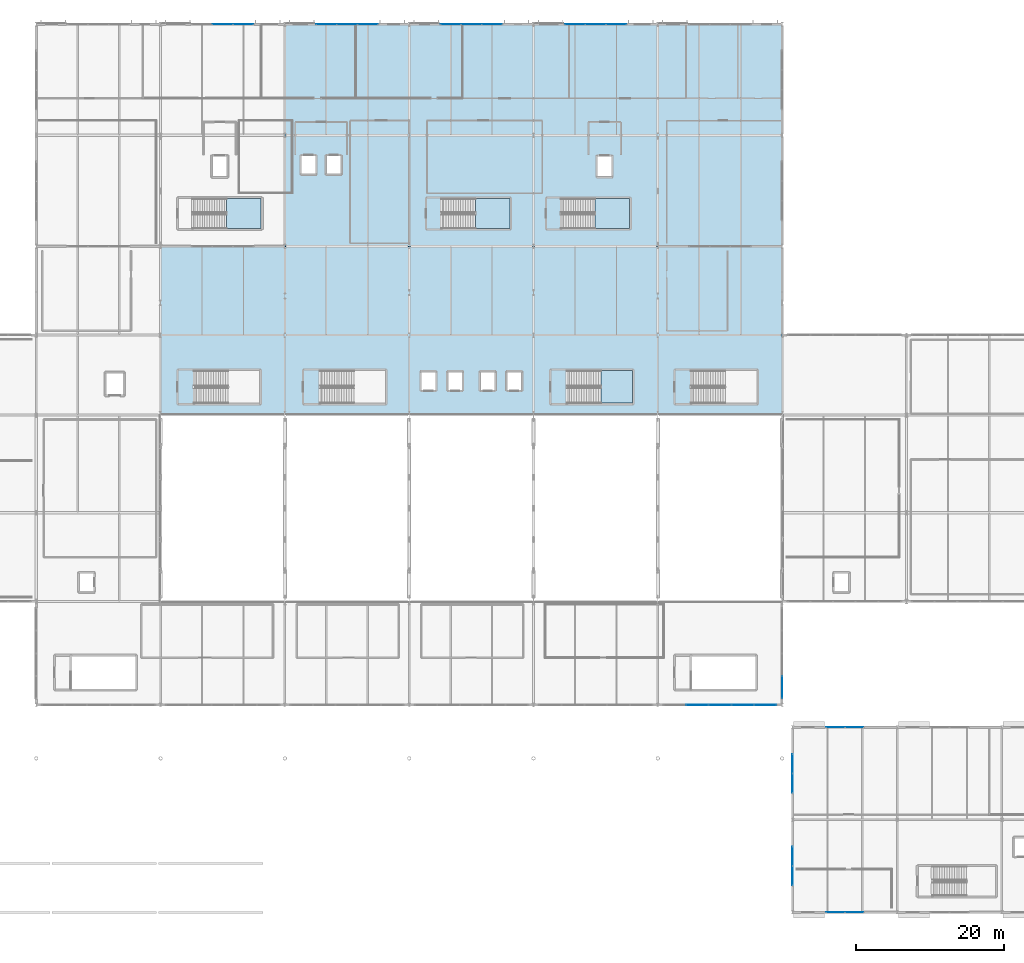
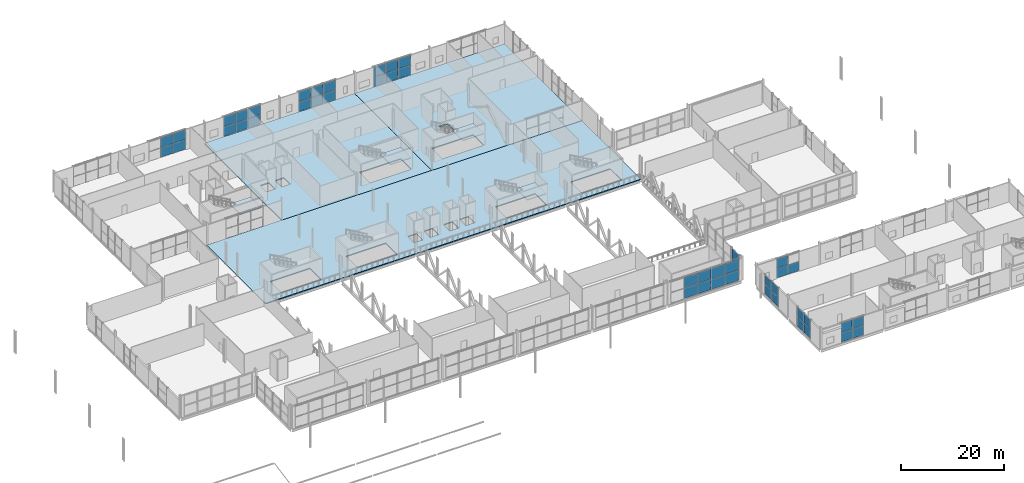
# One storey, part 51 of 84: 47 plates, 7 slabs, 14 elements without a shape of their own.
"""IFC4 building model written with IfcOpenShell, lengths in metres."""

from ifc_helpers import new_model, si_unit, direction, frame, origin, origin_2d, place, context, subcontext, project, spatial, polyline, rectangle, outline, extrude, material, layer, layer_set, type_object, element, aggregate, save


model = new_model("IFC4")

# Units and contexts
model_context = context("Model", 3, precision=1e-05, world=origin(), true_north=direction((0.0, 1.0)))
body_context = subcontext(model_context, "Body", "Model", "MODEL_VIEW")
ifc_project = project(units=[si_unit("LENGTHUNIT", "METRE"), si_unit("AREAUNIT", "SQUARE_METRE"), si_unit("VOLUMEUNIT", "CUBIC_METRE"), si_unit("PLANEANGLEUNIT", "RADIAN"), si_unit("MASSUNIT", "GRAM", prefix="KILO")], contexts=[model_context])

# Site, building, storey
site_placement = place(None, origin())
site = spatial("IfcSite", under=ifc_project, at=site_placement, CompositionType="ELEMENT")
building_placement = place(site_placement, origin())
building = spatial("IfcBuilding", under=site, at=building_placement, Name="Kimbaza Rail Terminus", CompositionType="ELEMENT")
storey_placement = place(building_placement, frame((0.0, 0.0, 5.39990234375)))
storey = spatial("IfcBuildingStorey", under=building, at=storey_placement, Name="L01", CompositionType="ELEMENT", Elevation=5.39990234375)

# Curtain wall, plates
ifc_material_1 = material(Name="Anodised aluminium framing and solar low-E glazing", Category="aluminium")
curtain_wall_type_1 = type_object("IfcCurtainWallType", Name="ARC-CW-TH1", PredefinedType="USERDEFINED", material=ifc_material_1)
curtain_wall_1_placement = place(storey_placement, origin())
curtain_wall_1 = element("IfcCurtainWall", 1, at=curtain_wall_1_placement, inside=storey, type_object=curtain_wall_type_1, Name="Concourse E Return Curtain Wall L01", ObjectType="UNITISED CURTAIN WALL", PredefinedType="USERDEFINED")
ifc_material_2 = material(Name="Solar-control double low-E glazing", Category="glass")
ifc_layer_1 = layer(ifc_material_2, 0.035888671875)
ifc_layer_set_1 = layer_set([ifc_layer_1], Name="Solar-control double low-E glazing")
plate_type_1 = type_object("IfcPlateType", Name="ARC-CWP-01", PredefinedType="CURTAIN_PANEL", material=ifc_layer_set_1)
plate_1_placement = place(storey_placement, frame((156.0, 43.413818359375, 0.0751953125), z_axis=(0.0, 0.0, 1.0), x_axis=(0.0, 1.0, 0.0)))
plate_1 = element("IfcPlate", 2, at=plate_1_placement, type_object=plate_type_1, Name="CW-01 panel 1.1", PredefinedType="CURTAIN_PANEL", context=body_context, shape_type="SweptSolid", body=[
    extrude(rectangle(XDim=2.95751953125, YDim=0.035888671875, at=origin_2d()), origin(), (0.0, 0.0, 1.0), 2.45751953125),
])
plate_2_placement = place(storey_placement, frame((156.0, 43.413818359375, 2.607666015625), z_axis=(0.0, 0.0, 1.0), x_axis=(0.0, 1.0, 0.0)))
plate_2 = element("IfcPlate", 3, at=plate_2_placement, type_object=plate_type_1, Name="CW-01 panel 1.2", PredefinedType="CURTAIN_PANEL", context=body_context, shape_type="SweptSolid", body=[
    extrude(rectangle(XDim=2.95751953125, YDim=0.035888671875, at=origin_2d()), origin(), (0.0, 0.0, 1.0), 2.45751953125),
])
aggregate(curtain_wall_1, [plate_1, plate_2])

ifc_material_3 = material(Name="Anodised aluminium framing and solar low-E glazing", Category="aluminium")
curtain_wall_type_2 = type_object("IfcCurtainWallType", Name="ARC-CW-CN1", PredefinedType="USERDEFINED", material=ifc_material_3)
curtain_wall_2_placement = place(storey_placement, origin())
curtain_wall_2 = element("IfcCurtainWall", 4, at=curtain_wall_2_placement, inside=storey, type_object=curtain_wall_type_2, Name="South Concourse Upper Glazing L01 Bay 6", ObjectType="UNITISED CURTAIN WALL", PredefinedType="USERDEFINED")
ifc_material_4 = material(Name="Solar-control double low-E glazing", Category="glass")
ifc_layer_2 = layer(ifc_material_4, 0.032958984375)
ifc_layer_set_2 = layer_set([ifc_layer_2], Name="Solar-control double low-E glazing")
plate_type_2 = type_object("IfcPlateType", Name="ARC-CWP-02", PredefinedType="CURTAIN_PANEL", material=ifc_layer_set_2)
plate_3_placement = place(storey_placement, frame((144.528076171875, 41.0, 0.06982421875), z_axis=(0.0, 0.0, 1.0), x_axis=(1.0, 0.0, 0.0)))
plate_3 = element("IfcPlate", 5, at=plate_3_placement, type_object=plate_type_2, Name="CW-02 panel 2.1", PredefinedType="CURTAIN_PANEL", context=body_context, shape_type="SweptSolid", body=[
    extrude(rectangle(XDim=3.001953125, YDim=0.032958984375, at=origin_2d()), origin(), (0.0, 0.0, 1.0), 2.465087890625),
])
plate_4_placement = place(storey_placement, frame((144.528076171875, 41.0, 2.60498046875), z_axis=(0.0, 0.0, 1.0), x_axis=(1.0, 0.0, 0.0)))
plate_4 = element("IfcPlate", 6, at=plate_4_placement, type_object=plate_type_2, Name="CW-02 panel 2.2", PredefinedType="CURTAIN_PANEL", context=body_context, shape_type="SweptSolid", body=[
    extrude(rectangle(XDim=3.001953125, YDim=0.032958984375, at=origin_2d()), origin(), (0.0, 0.0, 1.0), 2.465087890625),
])
plate_5_placement = place(storey_placement, frame((147.60009765625, 41.0, 0.06982421875), z_axis=(0.0, 0.0, 1.0), x_axis=(1.0, 0.0, 0.0)))
plate_5 = element("IfcPlate", 7, at=plate_5_placement, type_object=plate_type_2, Name="CW-02 panel 3.1", PredefinedType="CURTAIN_PANEL", context=body_context, shape_type="SweptSolid", body=[
    extrude(rectangle(XDim=3.001953125, YDim=0.032958984375, at=origin_2d()), origin(), (0.0, 0.0, 1.0), 2.465087890625),
])
plate_6_placement = place(storey_placement, frame((147.60009765625, 41.0, 2.60498046875), z_axis=(0.0, 0.0, 1.0), x_axis=(1.0, 0.0, 0.0)))
plate_6 = element("IfcPlate", 8, at=plate_6_placement, type_object=plate_type_2, Name="CW-02 panel 3.2", PredefinedType="CURTAIN_PANEL", context=body_context, shape_type="SweptSolid", body=[
    extrude(rectangle(XDim=3.001953125, YDim=0.032958984375, at=origin_2d()), origin(), (0.0, 0.0, 1.0), 2.465087890625),
])
plate_7_placement = place(storey_placement, frame((150.672119140625, 41.0, 0.06982421875), z_axis=(0.0, 0.0, 1.0), x_axis=(1.0, 0.0, 0.0)))
plate_7 = element("IfcPlate", 9, at=plate_7_placement, type_object=plate_type_2, Name="CW-02 panel 4.1", PredefinedType="CURTAIN_PANEL", context=body_context, shape_type="SweptSolid", body=[
    extrude(rectangle(XDim=3.001953125, YDim=0.032958984375, at=origin_2d()), origin(), (0.0, 0.0, 1.0), 2.465087890625),
])
plate_8_placement = place(storey_placement, frame((150.672119140625, 41.0, 2.60498046875), z_axis=(0.0, 0.0, 1.0), x_axis=(1.0, 0.0, 0.0)))
plate_8 = element("IfcPlate", 10, at=plate_8_placement, type_object=plate_type_2, Name="CW-02 panel 4.2", PredefinedType="CURTAIN_PANEL", context=body_context, shape_type="SweptSolid", body=[
    extrude(rectangle(XDim=3.001953125, YDim=0.032958984375, at=origin_2d()), origin(), (0.0, 0.0, 1.0), 2.465087890625),
])
plate_9_placement = place(storey_placement, frame((153.7265625, 41.0, 0.06982421875), z_axis=(0.0, 0.0, 1.0), x_axis=(1.0, 0.0, 0.0)))
plate_9 = element("IfcPlate", 11, at=plate_9_placement, type_object=plate_type_2, Name="CW-02 panel 5.1", PredefinedType="CURTAIN_PANEL", context=body_context, shape_type="SweptSolid", body=[
    extrude(rectangle(XDim=2.967041015625, YDim=0.032958984375, at=origin_2d()), origin(), (0.0, 0.0, 1.0), 2.465087890625),
])
plate_10_placement = place(storey_placement, frame((153.7265625, 41.0, 2.60498046875), z_axis=(0.0, 0.0, 1.0), x_axis=(1.0, 0.0, 0.0)))
plate_10 = element("IfcPlate", 12, at=plate_10_placement, type_object=plate_type_2, Name="CW-02 panel 5.2", PredefinedType="CURTAIN_PANEL", context=body_context, shape_type="SweptSolid", body=[
    extrude(rectangle(XDim=2.967041015625, YDim=0.032958984375, at=origin_2d()), origin(), (0.0, 0.0, 1.0), 2.465087890625),
])
aggregate(curtain_wall_2, [plate_3, plate_4, plate_5, plate_6, plate_7, plate_8, plate_9, plate_10])

ifc_material_5 = material(Name="Anodised aluminium framing and solar low-E glazing", Category="aluminium")
curtain_wall_type_3 = type_object("IfcCurtainWallType", Name="ARC-CW-PV1", PredefinedType="USERDEFINED", material=ifc_material_5)
curtain_wall_3_placement = place(storey_placement, origin())
curtain_wall_3 = element("IfcCurtainWall", 13, at=curtain_wall_3_placement, inside=storey, type_object=curtain_wall_type_3, Name="Pavilion N Curtain Wall L01.1", ObjectType="STICK CURTAIN WALL", PredefinedType="USERDEFINED")
ifc_material_6 = material(Name="Solar-control double low-E glazing", Category="glass")
ifc_layer_3 = layer(ifc_material_6, 0.027099609375)
ifc_layer_set_3 = layer_set([ifc_layer_3], Name="Solar-control double low-E glazing")
plate_type_3 = type_object("IfcPlateType", Name="ARC-CWP-04", PredefinedType="CURTAIN_PANEL", material=ifc_layer_set_3)
plate_11_placement = place(storey_placement, frame((163.203857421875, 38.0, 0.06494140625), z_axis=(0.0, 0.0, 1.0), x_axis=(1.0, 0.0, 0.0)))
plate_11 = element("IfcPlate", 14, at=plate_11_placement, type_object=plate_type_3, Name="CW-04 panel 1.1", PredefinedType="CURTAIN_PANEL", context=body_context, shape_type="SweptSolid", body=[
    extrude(rectangle(XDim=2.4775390625, YDim=0.027099609375, at=origin_2d()), origin(), (0.0, 0.0, 1.0), 2.215087890625),
])
plate_12_placement = place(storey_placement, frame((163.203857421875, 38.0, 2.34521484375), z_axis=(0.0, 0.0, 1.0), x_axis=(1.0, 0.0, 0.0)))
plate_12 = element("IfcPlate", 15, at=plate_12_placement, type_object=plate_type_3, Name="CW-04 panel 1.2", PredefinedType="CURTAIN_PANEL", context=body_context, shape_type="SweptSolid", body=[
    extrude(rectangle(XDim=2.4775390625, YDim=0.027099609375, at=origin_2d()), origin(), (0.0, 0.0, 1.0), 2.215087890625),
])
plate_13_placement = place(storey_placement, frame((165.746337890625, 38.0, 0.06494140625), z_axis=(0.0, 0.0, 1.0), x_axis=(1.0, 0.0, 0.0)))
plate_13 = element("IfcPlate", 16, at=plate_13_placement, type_object=plate_type_3, Name="CW-04 panel 2.1", PredefinedType="CURTAIN_PANEL", context=body_context, shape_type="SweptSolid", body=[
    extrude(rectangle(XDim=2.4775390625, YDim=0.027099609375, at=origin_2d()), origin(), (0.0, 0.0, 1.0), 2.215087890625),
])
aggregate(curtain_wall_3, [plate_11, plate_12, plate_13])

curtain_wall_4_placement = place(storey_placement, origin())
curtain_wall_4 = element("IfcCurtainWall", 17, at=curtain_wall_4_placement, inside=storey, type_object=curtain_wall_type_3, Name="Pavilion S Curtain Wall L01.1", ObjectType="STICK CURTAIN WALL", PredefinedType="USERDEFINED")
plate_14_placement = place(storey_placement, frame((163.203857421875, 13.0, 0.06494140625), z_axis=(0.0, 0.0, 1.0), x_axis=(1.0, 0.0, 0.0)))
plate_14 = element("IfcPlate", 18, at=plate_14_placement, type_object=plate_type_3, Name="CW-04 panel 1.1", PredefinedType="CURTAIN_PANEL", context=body_context, shape_type="SweptSolid", body=[
    extrude(rectangle(XDim=2.4775390625, YDim=0.027099609375, at=origin_2d()), origin(), (0.0, 0.0, 1.0), 2.215087890625),
])
plate_15_placement = place(storey_placement, frame((163.203857421875, 13.0, 2.34521484375), z_axis=(0.0, 0.0, 1.0), x_axis=(1.0, 0.0, 0.0)))
plate_15 = element("IfcPlate", 19, at=plate_15_placement, type_object=plate_type_3, Name="CW-04 panel 1.2", PredefinedType="CURTAIN_PANEL", context=body_context, shape_type="SweptSolid", body=[
    extrude(rectangle(XDim=2.4775390625, YDim=0.027099609375, at=origin_2d()), origin(), (0.0, 0.0, 1.0), 2.215087890625),
])
plate_16_placement = place(storey_placement, frame((165.746337890625, 13.0, 0.06494140625), z_axis=(0.0, 0.0, 1.0), x_axis=(1.0, 0.0, 0.0)))
plate_16 = element("IfcPlate", 20, at=plate_16_placement, type_object=plate_type_3, Name="CW-04 panel 2.1", PredefinedType="CURTAIN_PANEL", context=body_context, shape_type="SweptSolid", body=[
    extrude(rectangle(XDim=2.4775390625, YDim=0.027099609375, at=origin_2d()), origin(), (0.0, 0.0, 1.0), 2.215087890625),
])
plate_17_placement = place(storey_placement, frame((165.746337890625, 13.0, 2.34521484375), z_axis=(0.0, 0.0, 1.0), x_axis=(1.0, 0.0, 0.0)))
plate_17 = element("IfcPlate", 21, at=plate_17_placement, type_object=plate_type_3, Name="CW-04 panel 2.2", PredefinedType="CURTAIN_PANEL", context=body_context, shape_type="SweptSolid", body=[
    extrude(rectangle(XDim=2.4775390625, YDim=0.027099609375, at=origin_2d()), origin(), (0.0, 0.0, 1.0), 2.215087890625),
])
aggregate(curtain_wall_4, [plate_14, plate_15, plate_16, plate_17])

curtain_wall_5_placement = place(storey_placement, origin())
curtain_wall_5 = element("IfcCurtainWall", 22, at=curtain_wall_5_placement, inside=storey, type_object=curtain_wall_type_3, Name="Pavilion W Curtain Wall L01.1", ObjectType="STICK CURTAIN WALL", PredefinedType="USERDEFINED")
plate_18_placement = place(storey_placement, frame((157.39990234375, 17.941162109375, 0.06494140625), z_axis=(0.0, 0.0, 1.0), x_axis=(0.0, 1.0, 0.0)))
plate_18 = element("IfcPlate", 23, at=plate_18_placement, type_object=plate_type_3, Name="CW-04 panel 1.1", PredefinedType="CURTAIN_PANEL", context=body_context, shape_type="SweptSolid", body=[
    extrude(rectangle(XDim=2.552490234375, YDim=0.027099609375, at=origin_2d()), origin(), (0.0, 0.0, 1.0), 2.239990234375),
])
plate_19_placement = place(storey_placement, frame((157.39990234375, 17.941162109375, 2.3701171875), z_axis=(0.0, 0.0, 1.0), x_axis=(0.0, 1.0, 0.0)))
plate_19 = element("IfcPlate", 24, at=plate_19_placement, type_object=plate_type_3, Name="CW-04 panel 1.2", PredefinedType="CURTAIN_PANEL", context=body_context, shape_type="SweptSolid", body=[
    extrude(rectangle(XDim=2.552490234375, YDim=0.027099609375, at=origin_2d()), origin(), (0.0, 0.0, 1.0), 2.239990234375),
])
plate_20_placement = place(storey_placement, frame((157.39990234375, 20.558837890625, 0.06494140625), z_axis=(0.0, 0.0, 1.0), x_axis=(0.0, 1.0, 0.0)))
plate_20 = element("IfcPlate", 25, at=plate_20_placement, type_object=plate_type_3, Name="CW-04 panel 2.1", PredefinedType="CURTAIN_PANEL", context=body_context, shape_type="SweptSolid", body=[
    extrude(rectangle(XDim=2.552490234375, YDim=0.027099609375, at=origin_2d()), origin(), (0.0, 0.0, 1.0), 2.239990234375),
])
plate_21_placement = place(storey_placement, frame((157.39990234375, 20.558837890625, 2.3701171875), z_axis=(0.0, 0.0, 1.0), x_axis=(0.0, 1.0, 0.0)))
plate_21 = element("IfcPlate", 26, at=plate_21_placement, type_object=plate_type_3, Name="CW-04 panel 2.2", PredefinedType="CURTAIN_PANEL", context=body_context, shape_type="SweptSolid", body=[
    extrude(rectangle(XDim=2.552490234375, YDim=0.027099609375, at=origin_2d()), origin(), (0.0, 0.0, 1.0), 2.239990234375),
])
aggregate(curtain_wall_5, [plate_18, plate_19, plate_20, plate_21])

curtain_wall_6_placement = place(storey_placement, origin())
curtain_wall_6 = element("IfcCurtainWall", 27, at=curtain_wall_6_placement, inside=storey, type_object=curtain_wall_type_3, Name="Pavilion W Curtain Wall L01.2", ObjectType="STICK CURTAIN WALL", PredefinedType="USERDEFINED")
plate_22_placement = place(storey_placement, frame((157.39990234375, 30.441162109375, 0.06494140625), z_axis=(0.0, 0.0, 1.0), x_axis=(0.0, 1.0, 0.0)))
plate_22 = element("IfcPlate", 28, at=plate_22_placement, type_object=plate_type_3, Name="CW-04 panel 1.1", PredefinedType="CURTAIN_PANEL", context=body_context, shape_type="SweptSolid", body=[
    extrude(rectangle(XDim=2.552490234375, YDim=0.027099609375, at=origin_2d()), origin(), (0.0, 0.0, 1.0), 2.239990234375),
])
plate_23_placement = place(storey_placement, frame((157.39990234375, 30.441162109375, 2.3701171875), z_axis=(0.0, 0.0, 1.0), x_axis=(0.0, 1.0, 0.0)))
plate_23 = element("IfcPlate", 29, at=plate_23_placement, type_object=plate_type_3, Name="CW-04 panel 1.2", PredefinedType="CURTAIN_PANEL", context=body_context, shape_type="SweptSolid", body=[
    extrude(rectangle(XDim=2.552490234375, YDim=0.027099609375, at=origin_2d()), origin(), (0.0, 0.0, 1.0), 2.239990234375),
])
plate_24_placement = place(storey_placement, frame((157.39990234375, 33.058837890625, 0.06494140625), z_axis=(0.0, 0.0, 1.0), x_axis=(0.0, 1.0, 0.0)))
plate_24 = element("IfcPlate", 30, at=plate_24_placement, type_object=plate_type_3, Name="CW-04 panel 2.1", PredefinedType="CURTAIN_PANEL", context=body_context, shape_type="SweptSolid", body=[
    extrude(rectangle(XDim=2.552490234375, YDim=0.027099609375, at=origin_2d()), origin(), (0.0, 0.0, 1.0), 2.239990234375),
])
plate_25_placement = place(storey_placement, frame((157.39990234375, 33.058837890625, 2.3701171875), z_axis=(0.0, 0.0, 1.0), x_axis=(0.0, 1.0, 0.0)))
plate_25 = element("IfcPlate", 31, at=plate_25_placement, type_object=plate_type_3, Name="CW-04 panel 2.2", PredefinedType="CURTAIN_PANEL", context=body_context, shape_type="SweptSolid", body=[
    extrude(rectangle(XDim=2.552490234375, YDim=0.027099609375, at=origin_2d()), origin(), (0.0, 0.0, 1.0), 2.239990234375),
])
aggregate(curtain_wall_6, [plate_22, plate_23, plate_24, plate_25])

ifc_material_7 = material(Name="Anodised aluminium framing and solar low-E glazing", Category="aluminium")
curtain_wall_type_4 = type_object("IfcCurtainWallType", Name="ARC-CW-OP1", PredefinedType="USERDEFINED", material=ifc_material_7)
curtain_wall_7_placement = place(storey_placement, origin())
curtain_wall_7 = element("IfcCurtainWall", 32, at=curtain_wall_7_placement, inside=storey, type_object=curtain_wall_type_4, Name="Operations North Curtain Wall L01 Bay 2", ObjectType="UNITISED CURTAIN WALL", PredefinedType="USERDEFINED")
ifc_material_8 = material(Name="Solar-control double low-E glazing", Category="glass")
ifc_layer_4 = layer(ifc_material_8, 0.02490234375)
ifc_layer_set_4 = layer_set([ifc_layer_4], Name="Solar-control double low-E glazing")
plate_type_4 = type_object("IfcPlateType", Name="ARC-CWP-05", PredefinedType="CURTAIN_PANEL", material=ifc_layer_set_4)
plate_26_placement = place(storey_placement, frame((80.39990234375, 133.0, 0.06201171875), z_axis=(0.0, 0.0, 1.0), x_axis=(1.0, 0.0, 0.0)))
plate_26 = element("IfcPlate", 33, at=plate_26_placement, type_object=plate_type_4, Name="CW-05 panel 2.1", PredefinedType="CURTAIN_PANEL", context=body_context, shape_type="SweptSolid", body=[
    extrude(rectangle(XDim=2.738037109375, YDim=0.02490234375, at=origin_2d()), origin(), (0.0, 0.0, 1.0), 2.28955078125),
])
plate_27_placement = place(storey_placement, frame((80.39990234375, 133.0, 2.41357421875), z_axis=(0.0, 0.0, 1.0), x_axis=(1.0, 0.0, 0.0)))
plate_27 = element("IfcPlate", 34, at=plate_27_placement, type_object=plate_type_4, Name="CW-05 panel 2.2", PredefinedType="CURTAIN_PANEL", context=body_context, shape_type="SweptSolid", body=[
    extrude(rectangle(XDim=2.738037109375, YDim=0.02490234375, at=origin_2d()), origin(), (0.0, 0.0, 1.0), 2.28955078125),
])
plate_28_placement = place(storey_placement, frame((83.1845703125, 133.0, 0.06201171875), z_axis=(0.0, 0.0, 1.0), x_axis=(1.0, 0.0, 0.0)))
plate_28 = element("IfcPlate", 35, at=plate_28_placement, type_object=plate_type_4, Name="CW-05 panel 3.1", PredefinedType="CURTAIN_PANEL", context=body_context, shape_type="SweptSolid", body=[
    extrude(rectangle(XDim=2.70703125, YDim=0.02490234375, at=origin_2d()), origin(), (0.0, 0.0, 1.0), 2.28955078125),
])
plate_29_placement = place(storey_placement, frame((83.1845703125, 133.0, 2.41357421875), z_axis=(0.0, 0.0, 1.0), x_axis=(1.0, 0.0, 0.0)))
plate_29 = element("IfcPlate", 36, at=plate_29_placement, type_object=plate_type_4, Name="CW-05 panel 3.2", PredefinedType="CURTAIN_PANEL", context=body_context, shape_type="SweptSolid", body=[
    extrude(rectangle(XDim=2.70703125, YDim=0.02490234375, at=origin_2d()), origin(), (0.0, 0.0, 1.0), 2.28955078125),
])
aggregate(curtain_wall_7, [plate_26, plate_27, plate_28, plate_29])

curtain_wall_8_placement = place(storey_placement, origin())
curtain_wall_8 = element("IfcCurtainWall", 37, at=curtain_wall_8_placement, inside=storey, type_object=curtain_wall_type_4, Name="Operations North Curtain Wall L01 Bay 3", ObjectType="UNITISED CURTAIN WALL", PredefinedType="USERDEFINED")
plate_30_placement = place(storey_placement, frame((94.41552734375, 133.0, 0.06201171875), z_axis=(0.0, 0.0, 1.0), x_axis=(1.0, 0.0, 0.0)))
plate_30 = element("IfcPlate", 38, at=plate_30_placement, type_object=plate_type_4, Name="CW-05 panel 1.1", PredefinedType="CURTAIN_PANEL", context=body_context, shape_type="SweptSolid", body=[
    extrude(rectangle(XDim=2.70703125, YDim=0.02490234375, at=origin_2d()), origin(), (0.0, 0.0, 1.0), 2.28955078125),
])
plate_31_placement = place(storey_placement, frame((94.41552734375, 133.0, 2.41357421875), z_axis=(0.0, 0.0, 1.0), x_axis=(1.0, 0.0, 0.0)))
plate_31 = element("IfcPlate", 39, at=plate_31_placement, type_object=plate_type_4, Name="CW-05 panel 1.2", PredefinedType="CURTAIN_PANEL", context=body_context, shape_type="SweptSolid", body=[
    extrude(rectangle(XDim=2.70703125, YDim=0.02490234375, at=origin_2d()), origin(), (0.0, 0.0, 1.0), 2.28955078125),
])
plate_32_placement = place(storey_placement, frame((97.199951171875, 133.0, 0.06201171875), z_axis=(0.0, 0.0, 1.0), x_axis=(1.0, 0.0, 0.0)))
plate_32 = element("IfcPlate", 40, at=plate_32_placement, type_object=plate_type_4, Name="CW-05 panel 2.1", PredefinedType="CURTAIN_PANEL", context=body_context, shape_type="SweptSolid", body=[
    extrude(rectangle(XDim=2.738037109375, YDim=0.02490234375, at=origin_2d()), origin(), (0.0, 0.0, 1.0), 2.28955078125),
])
plate_33_placement = place(storey_placement, frame((97.199951171875, 133.0, 2.41357421875), z_axis=(0.0, 0.0, 1.0), x_axis=(1.0, 0.0, 0.0)))
plate_33 = element("IfcPlate", 41, at=plate_33_placement, type_object=plate_type_4, Name="CW-05 panel 2.2", PredefinedType="CURTAIN_PANEL", context=body_context, shape_type="SweptSolid", body=[
    extrude(rectangle(XDim=2.738037109375, YDim=0.02490234375, at=origin_2d()), origin(), (0.0, 0.0, 1.0), 2.28955078125),
])
plate_34_placement = place(storey_placement, frame((99.984619140625, 133.0, 0.06201171875), z_axis=(0.0, 0.0, 1.0), x_axis=(1.0, 0.0, 0.0)))
plate_34 = element("IfcPlate", 42, at=plate_34_placement, type_object=plate_type_4, Name="CW-05 panel 3.1", PredefinedType="CURTAIN_PANEL", context=body_context, shape_type="SweptSolid", body=[
    extrude(rectangle(XDim=2.70703125, YDim=0.02490234375, at=origin_2d()), origin(), (0.0, 0.0, 1.0), 2.28955078125),
])
plate_35_placement = place(storey_placement, frame((99.984619140625, 133.0, 2.41357421875), z_axis=(0.0, 0.0, 1.0), x_axis=(1.0, 0.0, 0.0)))
plate_35 = element("IfcPlate", 43, at=plate_35_placement, type_object=plate_type_4, Name="CW-05 panel 3.2", PredefinedType="CURTAIN_PANEL", context=body_context, shape_type="SweptSolid", body=[
    extrude(rectangle(XDim=2.70703125, YDim=0.02490234375, at=origin_2d()), origin(), (0.0, 0.0, 1.0), 2.28955078125),
])
aggregate(curtain_wall_8, [plate_30, plate_31, plate_32, plate_33, plate_34, plate_35])

curtain_wall_9_placement = place(storey_placement, origin())
curtain_wall_9 = element("IfcCurtainWall", 44, at=curtain_wall_9_placement, inside=storey, type_object=curtain_wall_type_4, Name="Operations North Curtain Wall L01 Bay 4", ObjectType="UNITISED CURTAIN WALL", PredefinedType="USERDEFINED")
plate_36_placement = place(storey_placement, frame((111.215576171875, 133.0, 0.06201171875), z_axis=(0.0, 0.0, 1.0), x_axis=(1.0, 0.0, 0.0)))
plate_36 = element("IfcPlate", 45, at=plate_36_placement, type_object=plate_type_4, Name="CW-05 panel 1.1", PredefinedType="CURTAIN_PANEL", context=body_context, shape_type="SweptSolid", body=[
    extrude(rectangle(XDim=2.70703125, YDim=0.02490234375, at=origin_2d()), origin(), (0.0, 0.0, 1.0), 2.28955078125),
])
plate_37_placement = place(storey_placement, frame((111.215576171875, 133.0, 2.41357421875), z_axis=(0.0, 0.0, 1.0), x_axis=(1.0, 0.0, 0.0)))
plate_37 = element("IfcPlate", 46, at=plate_37_placement, type_object=plate_type_4, Name="CW-05 panel 1.2", PredefinedType="CURTAIN_PANEL", context=body_context, shape_type="SweptSolid", body=[
    extrude(rectangle(XDim=2.70703125, YDim=0.02490234375, at=origin_2d()), origin(), (0.0, 0.0, 1.0), 2.28955078125),
])
plate_38_placement = place(storey_placement, frame((114.0, 133.0, 0.06201171875), z_axis=(0.0, 0.0, 1.0), x_axis=(1.0, 0.0, 0.0)))
plate_38 = element("IfcPlate", 47, at=plate_38_placement, type_object=plate_type_4, Name="CW-05 panel 2.1", PredefinedType="CURTAIN_PANEL", context=body_context, shape_type="SweptSolid", body=[
    extrude(rectangle(XDim=2.738037109375, YDim=0.02490234375, at=origin_2d()), origin(), (0.0, 0.0, 1.0), 2.28955078125),
])
plate_39_placement = place(storey_placement, frame((114.0, 133.0, 2.41357421875), z_axis=(0.0, 0.0, 1.0), x_axis=(1.0, 0.0, 0.0)))
plate_39 = element("IfcPlate", 48, at=plate_39_placement, type_object=plate_type_4, Name="CW-05 panel 2.2", PredefinedType="CURTAIN_PANEL", context=body_context, shape_type="SweptSolid", body=[
    extrude(rectangle(XDim=2.738037109375, YDim=0.02490234375, at=origin_2d()), origin(), (0.0, 0.0, 1.0), 2.28955078125),
])
plate_40_placement = place(storey_placement, frame((116.784423828125, 133.0, 0.06201171875), z_axis=(0.0, 0.0, 1.0), x_axis=(1.0, 0.0, 0.0)))
plate_40 = element("IfcPlate", 49, at=plate_40_placement, type_object=plate_type_4, Name="CW-05 panel 3.1", PredefinedType="CURTAIN_PANEL", context=body_context, shape_type="SweptSolid", body=[
    extrude(rectangle(XDim=2.70703125, YDim=0.02490234375, at=origin_2d()), origin(), (0.0, 0.0, 1.0), 2.28955078125),
])
plate_41_placement = place(storey_placement, frame((116.784423828125, 133.0, 2.41357421875), z_axis=(0.0, 0.0, 1.0), x_axis=(1.0, 0.0, 0.0)))
plate_41 = element("IfcPlate", 50, at=plate_41_placement, type_object=plate_type_4, Name="CW-05 panel 3.2", PredefinedType="CURTAIN_PANEL", context=body_context, shape_type="SweptSolid", body=[
    extrude(rectangle(XDim=2.70703125, YDim=0.02490234375, at=origin_2d()), origin(), (0.0, 0.0, 1.0), 2.28955078125),
])
aggregate(curtain_wall_9, [plate_36, plate_37, plate_38, plate_39, plate_40, plate_41])

curtain_wall_10_placement = place(storey_placement, origin())
curtain_wall_10 = element("IfcCurtainWall", 51, at=curtain_wall_10_placement, inside=storey, type_object=curtain_wall_type_4, Name="Operations North Curtain Wall L01 Bay 5", ObjectType="UNITISED CURTAIN WALL", PredefinedType="USERDEFINED")
plate_42_placement = place(storey_placement, frame((128.015380859375, 133.0, 0.06201171875), z_axis=(0.0, 0.0, 1.0), x_axis=(1.0, 0.0, 0.0)))
plate_42 = element("IfcPlate", 52, at=plate_42_placement, type_object=plate_type_4, Name="CW-05 panel 1.1", PredefinedType="CURTAIN_PANEL", context=body_context, shape_type="SweptSolid", body=[
    extrude(rectangle(XDim=2.70703125, YDim=0.02490234375, at=origin_2d()), origin(), (0.0, 0.0, 1.0), 2.28955078125),
])
plate_43_placement = place(storey_placement, frame((128.015380859375, 133.0, 2.41357421875), z_axis=(0.0, 0.0, 1.0), x_axis=(1.0, 0.0, 0.0)))
plate_43 = element("IfcPlate", 53, at=plate_43_placement, type_object=plate_type_4, Name="CW-05 panel 1.2", PredefinedType="CURTAIN_PANEL", context=body_context, shape_type="SweptSolid", body=[
    extrude(rectangle(XDim=2.70703125, YDim=0.02490234375, at=origin_2d()), origin(), (0.0, 0.0, 1.0), 2.28955078125),
])
plate_44_placement = place(storey_placement, frame((130.800048828125, 133.0, 0.06201171875), z_axis=(0.0, 0.0, 1.0), x_axis=(1.0, 0.0, 0.0)))
plate_44 = element("IfcPlate", 54, at=plate_44_placement, type_object=plate_type_4, Name="CW-05 panel 2.1", PredefinedType="CURTAIN_PANEL", context=body_context, shape_type="SweptSolid", body=[
    extrude(rectangle(XDim=2.738037109375, YDim=0.02490234375, at=origin_2d()), origin(), (0.0, 0.0, 1.0), 2.28955078125),
])
plate_45_placement = place(storey_placement, frame((130.800048828125, 133.0, 2.41357421875), z_axis=(0.0, 0.0, 1.0), x_axis=(1.0, 0.0, 0.0)))
plate_45 = element("IfcPlate", 55, at=plate_45_placement, type_object=plate_type_4, Name="CW-05 panel 2.2", PredefinedType="CURTAIN_PANEL", context=body_context, shape_type="SweptSolid", body=[
    extrude(rectangle(XDim=2.738037109375, YDim=0.02490234375, at=origin_2d()), origin(), (0.0, 0.0, 1.0), 2.28955078125),
])
plate_46_placement = place(storey_placement, frame((133.58447265625, 133.0, 0.06201171875), z_axis=(0.0, 0.0, 1.0), x_axis=(1.0, 0.0, 0.0)))
plate_46 = element("IfcPlate", 56, at=plate_46_placement, type_object=plate_type_4, Name="CW-05 panel 3.1", PredefinedType="CURTAIN_PANEL", context=body_context, shape_type="SweptSolid", body=[
    extrude(rectangle(XDim=2.70703125, YDim=0.02490234375, at=origin_2d()), origin(), (0.0, 0.0, 1.0), 2.28955078125),
])
plate_47_placement = place(storey_placement, frame((133.58447265625, 133.0, 2.41357421875), z_axis=(0.0, 0.0, 1.0), x_axis=(1.0, 0.0, 0.0)))
plate_47 = element("IfcPlate", 57, at=plate_47_placement, type_object=plate_type_4, Name="CW-05 panel 3.2", PredefinedType="CURTAIN_PANEL", context=body_context, shape_type="SweptSolid", body=[
    extrude(rectangle(XDim=2.70703125, YDim=0.02490234375, at=origin_2d()), origin(), (0.0, 0.0, 1.0), 2.28955078125),
])
aggregate(curtain_wall_10, [plate_42, plate_43, plate_44, plate_45, plate_46, plate_47])

# Stair, slab
ifc_material_9 = material(Name="Concrete C40/50", Category="concrete")
stair_type_1 = type_object("IfcStairType", Name="ARC-STR-02", PredefinedType="HALF_TURN_STAIR", material=ifc_material_9)
stair_1_placement = place(storey_placement, origin())
stair_1 = element("IfcStair", 58, at=stair_1_placement, inside=storey, type_object=stair_type_1, Name="L01 Operations West Exit Stair", PredefinedType="HALF_TURN_STAIR")
ifc_material_10 = material(Name="Concrete C40/50", Category="concrete")
ifc_layer_5 = layer(ifc_material_10, 0.199951171875)
ifc_layer_set_5 = layer_set([ifc_layer_5], Name="Concrete C40/50")
slab_type_1 = type_object("IfcSlabType", Name="STR-SL-LND200", PredefinedType="LANDING", material=ifc_layer_set_5)
slab_1_placement = place(storey_placement, frame((0.0, 0.0, 2.5)))
slab_1 = element("IfcSlab", 59, at=slab_1_placement, type_object=slab_type_1, Name="ST-W1 landing 1", PredefinedType="LANDING", context=body_context, shape_type="SweptSolid", body=[
    extrude(outline(polyline([(80.93994140625, 105.39990234375), (85.60009765625, 105.39990234375), (85.60009765625, 109.43994140625), (80.93994140625, 109.43994140625), (80.93994140625, 105.39990234375)])), origin(), (0.0, 0.0, 1.0), 0.2001953125),
])
aggregate(stair_1, [slab_1])

stair_2_placement = place(storey_placement, origin())
stair_2 = element("IfcStair", 60, at=stair_2_placement, inside=storey, type_object=stair_type_1, Name="L01 Operations Central Exit Stair", PredefinedType="HALF_TURN_STAIR")
slab_2_placement = place(storey_placement, frame((0.0, 0.0, 2.5)))
slab_2 = element("IfcSlab", 61, at=slab_2_placement, type_object=slab_type_1, Name="ST-M1 landing 1", PredefinedType="LANDING", context=body_context, shape_type="SweptSolid", body=[
    extrude(outline(polyline([(114.5400390625, 105.39990234375), (119.199951171875, 105.39990234375), (119.199951171875, 109.43994140625), (114.5400390625, 109.43994140625), (114.5400390625, 105.39990234375)])), origin(), (0.0, 0.0, 1.0), 0.2001953125),
])
aggregate(stair_2, [slab_2])

stair_3_placement = place(storey_placement, origin())
stair_3 = element("IfcStair", 62, at=stair_3_placement, inside=storey, type_object=stair_type_1, Name="L01 Operations East Exit Stair", PredefinedType="HALF_TURN_STAIR")
slab_3_placement = place(storey_placement, frame((0.0, 0.0, 2.5)))
slab_3 = element("IfcSlab", 63, at=slab_3_placement, type_object=slab_type_1, Name="ST-E1 landing 1", PredefinedType="LANDING", context=body_context, shape_type="SweptSolid", body=[
    extrude(outline(polyline([(130.739990234375, 105.39990234375), (135.39990234375, 105.39990234375), (135.39990234375, 109.43994140625), (130.739990234375, 109.43994140625), (130.739990234375, 105.39990234375)])), origin(), (0.0, 0.0, 1.0), 0.2001953125),
])
aggregate(stair_3, [slab_3])

ifc_material_11 = material(Name="Concrete C40/50", Category="concrete")
stair_type_2 = type_object("IfcStairType", Name="ARC-STR-06", PredefinedType="HALF_TURN_STAIR", material=ifc_material_11)
stair_4_placement = place(storey_placement, origin())
stair_4 = element("IfcStair", 64, at=stair_4_placement, inside=storey, type_object=stair_type_2, Name="L01 Footbridge East Platform Stair", PredefinedType="HALF_TURN_STAIR")
slab_4_placement = place(storey_placement, frame((0.0, 0.0, 2.5)))
slab_4 = element("IfcSlab", 65, at=slab_4_placement, type_object=slab_type_1, Name="ST-C4 landing 1", PredefinedType="LANDING", context=body_context, shape_type="SweptSolid", body=[
    extrude(outline(polyline([(131.52001953125, 81.800048828125), (135.800048828125, 81.800048828125), (135.800048828125, 86.199951171875), (131.52001953125, 86.199951171875), (131.52001953125, 81.800048828125)])), origin(), (0.0, 0.0, 1.0), 0.2001953125),
])
aggregate(stair_4, [slab_4])

# Slabs
ifc_material_12 = material(Name="Concrete C40/50", Category="concrete")
ifc_layer_6 = layer(ifc_material_12, 0.219970703125)
ifc_layer_set_6 = layer_set([ifc_layer_6], Name="Concrete C40/50")
slab_type_2 = type_object("IfcSlabType", Name="STR-SL-MEZ220", PredefinedType="FLOOR", material=ifc_layer_set_6)
slab_5_placement = place(storey_placement, frame((0.0, 0.0, -0.219970703125)))
element("IfcSlab", 66, at=slab_5_placement, inside=storey, type_object=slab_type_2, Name="Concourse Mezzanine L01 SLB-V2-L01-NORTH", PredefinedType="FLOOR", context=body_context, shape_type="SweptSolid", body=[
    extrude(outline(polyline([(72.0, 80.199951171875), (156.0, 80.199951171875), (156.0, 103.0), (72.0, 103.0), (72.0, 80.199951171875)]), holes=[polyline([(76.52490234375, 81.800048828125), (85.39990234375, 81.800048828125), (85.39990234375, 86.199951171875), (76.52490234375, 86.199951171875), (76.52490234375, 81.800048828125)]), polyline([(143.72509765625, 81.800048828125), (152.60009765625, 81.800048828125), (152.60009765625, 86.199951171875), (143.72509765625, 86.199951171875), (143.72509765625, 81.800048828125)]), polyline([(93.52490234375, 81.800048828125), (102.39990234375, 81.800048828125), (102.39990234375, 86.199951171875), (93.52490234375, 86.199951171875), (93.52490234375, 81.800048828125)]), polyline([(126.925048828125, 81.800048828125), (135.800048828125, 81.800048828125), (135.800048828125, 86.199951171875), (126.925048828125, 86.199951171875), (126.925048828125, 81.800048828125)]), polyline([(107.25, 83.60009765625), (109.14990234375, 83.60009765625), (109.14990234375, 86.0), (107.25, 86.0), (107.25, 83.60009765625)]), polyline([(110.85009765625, 83.60009765625), (112.75, 83.60009765625), (112.75, 86.0), (110.85009765625, 86.0), (110.85009765625, 83.60009765625)]), polyline([(115.25, 83.60009765625), (117.14990234375, 83.60009765625), (117.14990234375, 86.0), (115.25, 86.0), (115.25, 83.60009765625)]), polyline([(118.85009765625, 83.60009765625), (120.75, 83.60009765625), (120.75, 86.0), (118.85009765625, 86.0), (118.85009765625, 83.60009765625)])]), origin(), (0.0, 0.0, 1.0), 0.219970703125),
])
ifc_material_13 = material(Name="Concrete C40/50", Category="concrete")
ifc_layer_7 = layer(ifc_material_13, 0.239990234375)
ifc_layer_set_7 = layer_set([ifc_layer_7], Name="Concrete C40/50")
slab_type_3 = type_object("IfcSlabType", Name="STR-SL-OPS240", PredefinedType="FLOOR", material=ifc_layer_set_7)
slab_6_placement = place(storey_placement, frame((0.0, 0.0, -0.239990234375)))
element("IfcSlab", 67, at=slab_6_placement, inside=storey, type_object=slab_type_3, Name="Operations Wing L01 Slab Zone 2", PredefinedType="FLOOR", context=body_context, shape_type="SweptSolid", body=[
    extrude(outline(polyline([(88.800048828125, 103.0), (122.39990234375, 103.0), (122.39990234375, 133.0), (88.800048828125, 133.0), (88.800048828125, 103.0)]), holes=[polyline([(109.945068359375, 105.39990234375), (119.199951171875, 105.39990234375), (119.199951171875, 109.43994140625), (109.945068359375, 109.43994140625), (109.945068359375, 105.39990234375)]), polyline([(91.050048828125, 112.800048828125), (92.949951171875, 112.800048828125), (92.949951171875, 115.199951171875), (91.050048828125, 115.199951171875), (91.050048828125, 112.800048828125)]), polyline([(94.449951171875, 112.800048828125), (96.35009765625, 112.800048828125), (96.35009765625, 115.199951171875), (94.449951171875, 115.199951171875), (94.449951171875, 112.800048828125)])]), origin(), (0.0, 0.0, 1.0), 0.239990234375),
])
slab_7_placement = place(storey_placement, frame((0.0, 0.0, -0.239990234375)))
element("IfcSlab", 68, at=slab_7_placement, inside=storey, type_object=slab_type_3, Name="Operations Wing L01 Slab Zone 3", PredefinedType="FLOOR", context=body_context, shape_type="SweptSolid", body=[
    extrude(outline(polyline([(122.39990234375, 103.0), (156.0, 103.0), (156.0, 133.0), (122.39990234375, 133.0), (122.39990234375, 103.0)]), holes=[polyline([(126.14501953125, 105.39990234375), (135.39990234375, 105.39990234375), (135.39990234375, 109.43994140625), (126.14501953125, 109.43994140625), (126.14501953125, 105.39990234375)]), polyline([(131.050048828125, 112.449951171875), (132.949951171875, 112.449951171875), (132.949951171875, 115.14990234375), (131.050048828125, 115.14990234375), (131.050048828125, 112.449951171875)])]), origin(), (0.0, 0.0, 1.0), 0.239990234375),
])

save(model, "model.ifc")
